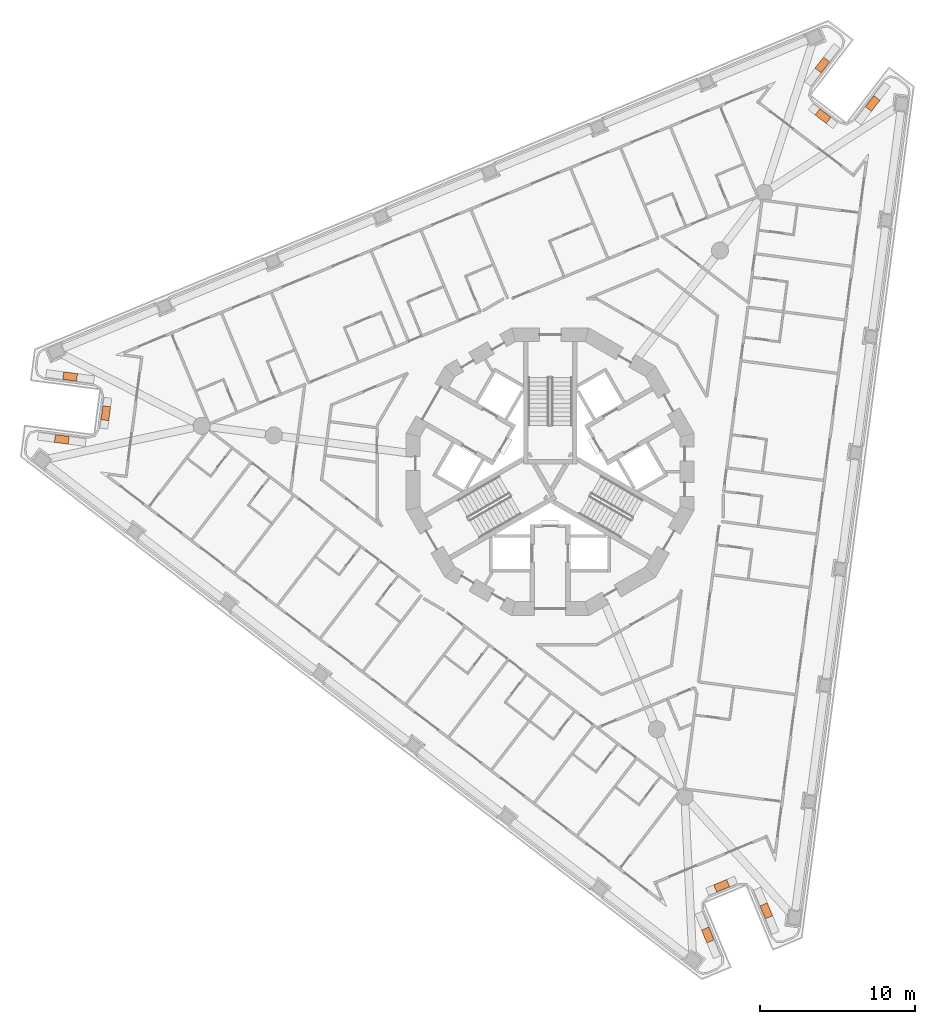
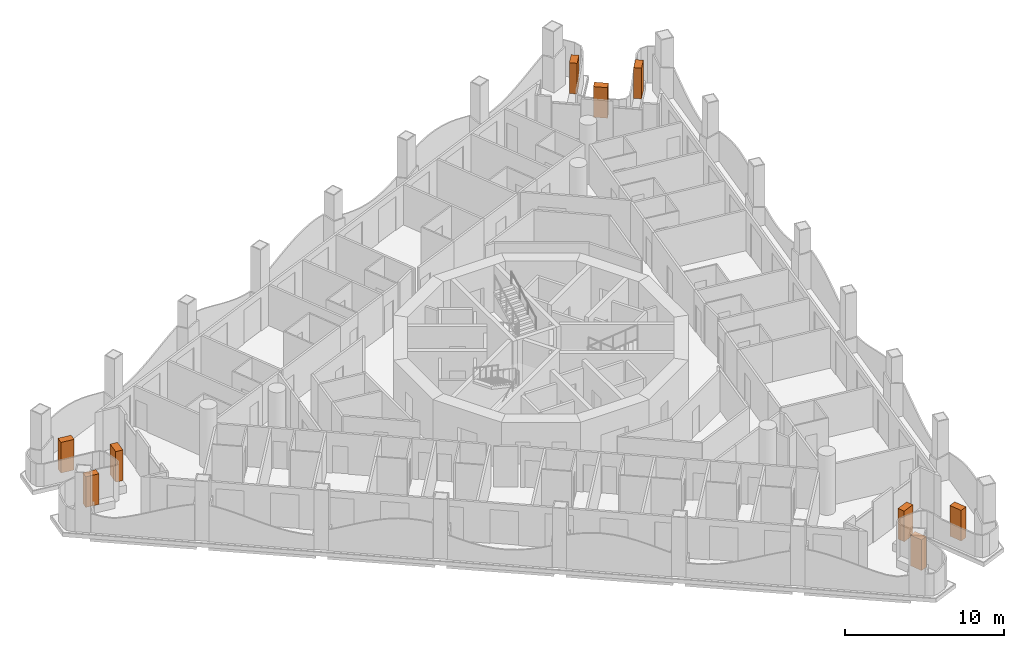
# One storey, part 17 of 17: 9 geographic elements.
"""IFC4 building model written with IfcOpenShell, lengths in metres."""

from ifc_helpers import new_model, si_unit, direction, frame, origin, origin_2d, place, context, subcontext, project, spatial, rectangle, extrude, element, save


model = new_model("IFC4")

# Units and contexts
model_context = context("Model", 3, precision=1e-05, world=origin(), true_north=direction((0.0, 1.0)))
body_context = subcontext(model_context, "Body", "Model", "MODEL_VIEW")
ifc_project = project(units=[si_unit("LENGTHUNIT", "METRE"), si_unit("AREAUNIT", "SQUARE_METRE"), si_unit("VOLUMEUNIT", "CUBIC_METRE"), si_unit("PLANEANGLEUNIT", "RADIAN"), si_unit("MASSUNIT", "GRAM", prefix="KILO")], contexts=[model_context])

# Site, building, storey
site_placement = place(None, origin())
site = spatial("IfcSite", under=ifc_project, at=site_placement, CompositionType="ELEMENT")
building_placement = place(site_placement, origin())
building = spatial("IfcBuilding", under=site, at=building_placement, Name="Trine Commons Tower", CompositionType="ELEMENT")
storey_placement = place(building_placement, frame((0.0, 0.0, 153.0)))
storey = spatial("IfcBuildingStorey", under=building, at=storey_placement, Name="L39", CompositionType="ELEMENT", Elevation=153.0)

# Geographic elements
for number, where, z_axis, x_axis, name in (
    (1, (48.54638671875, 64.58349609375, 0.599853515625), (0.0, 0.0, 1.0), (0.991446455978, -0.130514079426, 0.0), "Tree 1.1"),
    (2, (51.380615234375, 66.267822265625, 0.599853515625), (0.0, 0.0, 1.0), (0.130543496177, 0.991442583111, 0.0), "Tree 2.1"),
    (3, (49.078857421875, 68.62841796875, 0.599853515625), (0.0, 0.0, 1.0), (-0.991446000392, 0.130517540226, 0.0), "Tree 3.1"),
    (4, (97.531005859375, 88.697998046875, 0.599853515625), (0.0, 0.0, 1.0), (-0.608754505672, -0.793358652707, 0.0), "Tree 4.1"),
    (5, (97.57275390625, 85.4013671875, 0.599853515625), (0.0, 0.0, 1.0), (0.793335277627, -0.608784968008, 0.0), "Tree 5.1"),
    (6, (100.767822265625, 86.214111328125, 0.599853515625), (0.0, 0.0, 1.0), (0.6087683523, 0.793348027815, 0.0), "Tree 6.1"),
    (7, (93.922607421875, 34.21875, 0.599853515625), (0.0, 0.0, 1.0), (-0.382694719654, 0.923874857082, 0.0), "Tree 7.1"),
    (8, (91.046630859375, 35.830810546875, 0.599853515625), (0.0, 0.0, 1.0), (-0.923877528773, -0.382688269782, 0.0), "Tree 8.1"),
    (9, (90.153076171875, 32.657470703125, 0.599853515625), (0.0, 0.0, 1.0), (0.382694719654, -0.923874857082, 0.0), "Tree 9.1"),
):
    element("IfcGeographicElement", number, at=place(storey_placement, frame(where, z_axis=z_axis, x_axis=x_axis)), inside=storey, Name=name, ObjectType="TREE Tabebuia rosea", PredefinedType="USERDEFINED", context=body_context, shape_type="SweptSolid", body=[
        extrude(rectangle(XDim=0.89990234375, YDim=0.5, at=origin_2d()), origin(), (0.0, 0.0, 1.0), 2.35009765625),
    ])

save(model, "model.ifc")
